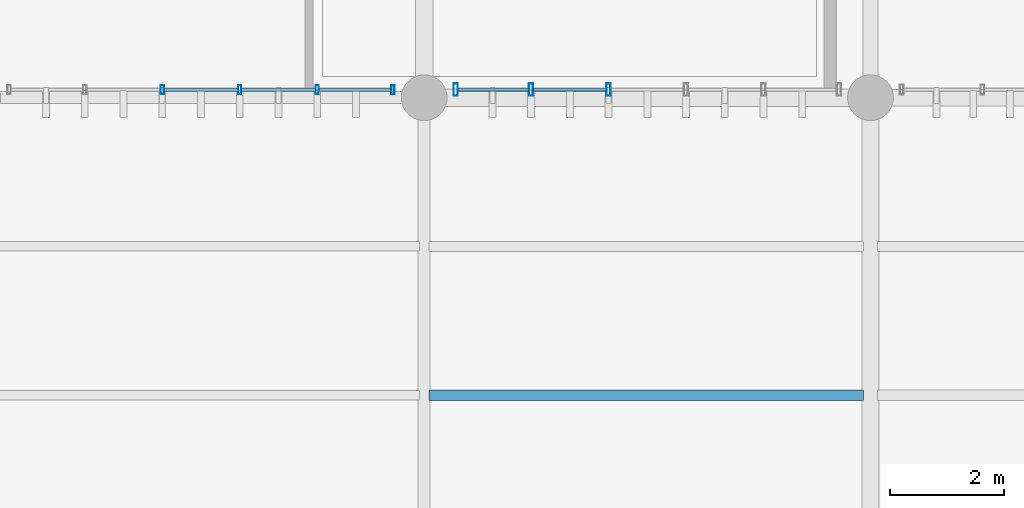
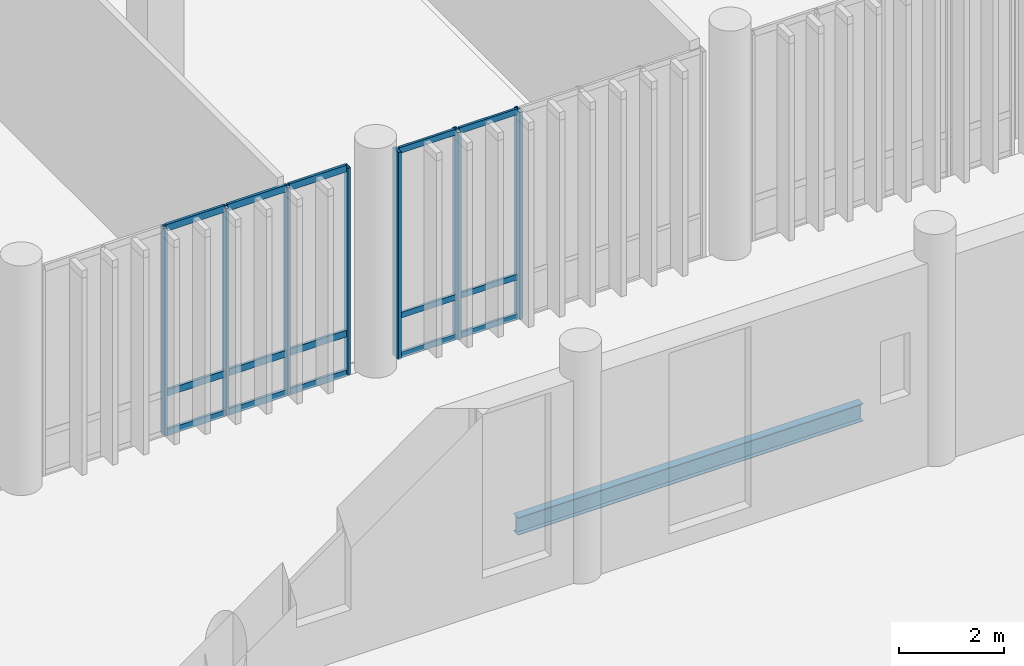
# One storey, part 74 of 128: 22 members, 1 beam, 2 elements without a shape of their own.
"""IFC4 building model written with IfcOpenShell, lengths in metres."""

from ifc_helpers import new_model, si_unit, direction, frame, origin_with_axes, origin_2d_with_axis, place, context, subcontext, project, spatial, hollow_rectangle, i_section, extrude, material, material_profile, profile_set, type_object, element, aggregate, save


model = new_model("IFC4")

# Units and contexts
model_context = context("Model", 3, precision=1e-05, world=origin_with_axes(), true_north=direction((0.0, 1.0)))
body_context = subcontext(model_context, "Body", "Model", "MODEL_VIEW")
ifc_project = project(units=[si_unit("LENGTHUNIT", "METRE"), si_unit("AREAUNIT", "SQUARE_METRE"), si_unit("VOLUMEUNIT", "CUBIC_METRE"), si_unit("PLANEANGLEUNIT", "RADIAN"), si_unit("MASSUNIT", "GRAM", prefix="KILO"), si_unit("THERMODYNAMICTEMPERATUREUNIT", "KELVIN")], contexts=[model_context])

# Site, building, storey
site_placement = place(None, origin_with_axes())
site = spatial("IfcSite", under=ifc_project, at=site_placement, CompositionType="ELEMENT")
building_placement = place(site_placement, origin_with_axes())
building = spatial("IfcBuilding", under=site, at=building_placement, Name="Montbau Bow Law Courts", CompositionType="ELEMENT")
storey_placement = place(building_placement, frame((0.0, 0.0, 5.4), z_axis=(0.0, 0.0, 1.0), x_axis=(1.0, 0.0, 0.0)))
storey = spatial("IfcBuildingStorey", under=building, at=storey_placement, Name="L01", CompositionType="ELEMENT", Elevation=5.4)

# Beam
ifc_material_1 = material(Name="Steel CSA G40.21 Grade 350W (350 MPa)", Category="steel")
ifc_material_profile_1 = material_profile(ifc_material_1, i_section(OverallWidth=0.179, OverallDepth=0.41, WebThickness=0.0088, FlangeThickness=0.0144, at=origin_2d_with_axis()), Name="W410X67", Category="Main", Priority=0)
ifc_profile_set_1 = profile_set([ifc_material_profile_1], Name="Steel CSA G40.21 Grade 350W (350 MPa)")
beam_type = type_object("IfcBeamType", Name="B-JST-02", PredefinedType="JOIST", material=ifc_profile_set_1)
beam_placement = place(None, frame((154.881, 64.4, 4.905), z_axis=(1.0, 0.0, 0.0), x_axis=(0.0, 1.0, 0.0)))
element("IfcBeam", 1, at=beam_placement, inside=storey, type_object=beam_type, Name="JST-L01-S0585:jst2_0585", PredefinedType="JOIST", context=body_context, shape_type="SweptSolid", body=[
    extrude(i_section(OverallWidth=0.179, OverallDepth=0.41, WebThickness=0.0088, FlangeThickness=0.0144, at=origin_2d_with_axis()), origin_with_axes(), (0.0, 0.0, 1.0), 7.596),
])

# Curtain wall, members
ifc_material_2 = material(Name="Thermally Broken Extruded Aluminium AA 6063-T6", Category="aluminium")
curtain_wall_type = type_object("IfcCurtainWallType", Name="CW-SLT-01", PredefinedType="NOTDEFINED", material=ifc_material_2)
curtain_wall_1_placement = place(None, frame((155.315, 69.74, 5.4), z_axis=(0.0, 0.0, 1.0), x_axis=(1.0, 0.0, 0.0)))
curtain_wall_1 = element("IfcCurtainWall", 2, at=curtain_wall_1_placement, inside=storey, type_object=curtain_wall_type, Name="CW-L01-279:cw_0279", PredefinedType="NOTDEFINED")
ifc_material_profile_2 = material_profile(ifc_material_2, hollow_rectangle(XDim=0.075, YDim=0.22, WallThickness=0.005, InnerFilletRadius=0.01, OuterFilletRadius=0.005, at=origin_2d_with_axis()), Name="CWM-220X75", Category="Main", Priority=0)
ifc_profile_set_2 = profile_set([ifc_material_profile_2], Name="Thermally Broken Extruded Aluminium AA 6063-T6")
member_type_1 = type_object("IfcMemberType", Name="M-MUL-01", PredefinedType="MULLION", material=ifc_profile_set_2)
member_1_placement = place(None, frame((155.352, 69.74, 5.4), z_axis=(0.0, 0.0, 1.0), x_axis=(1.0, 0.0, 0.0)))
member_1 = element("IfcMember", 3, at=member_1_placement, type_object=member_type_1, Name="CW-L01-279-M01:cw_0279_M01", PredefinedType="MULLION", context=body_context, shape_type="SweptSolid", body=[
    extrude(hollow_rectangle(XDim=0.075, YDim=0.22, WallThickness=0.005, InnerFilletRadius=0.01, OuterFilletRadius=0.005, at=origin_2d_with_axis()), origin_with_axes(), (0.0, 0.0, 1.0), 4.82),
])
member_2_placement = place(None, frame((156.669, 69.74, 5.4), z_axis=(0.0, 0.0, 1.0), x_axis=(1.0, 0.0, 0.0)))
member_2 = element("IfcMember", 4, at=member_2_placement, type_object=member_type_1, Name="CW-L01-279-M02:cw_0279_M02", PredefinedType="MULLION", context=body_context, shape_type="SweptSolid", body=[
    extrude(hollow_rectangle(XDim=0.075, YDim=0.22, WallThickness=0.005, InnerFilletRadius=0.01, OuterFilletRadius=0.005, at=origin_2d_with_axis()), origin_with_axes(), (0.0, 0.0, 1.0), 4.82),
])
member_3_placement = place(None, frame((158.023, 69.74, 5.4), z_axis=(0.0, 0.0, 1.0), x_axis=(1.0, 0.0, 0.0)))
member_3 = element("IfcMember", 5, at=member_3_placement, type_object=member_type_1, Name="CW-L01-279-M03:cw_0279_M03", PredefinedType="MULLION", context=body_context, shape_type="SweptSolid", body=[
    extrude(hollow_rectangle(XDim=0.075, YDim=0.22, WallThickness=0.005, InnerFilletRadius=0.01, OuterFilletRadius=0.005, at=origin_2d_with_axis()), origin_with_axes(), (0.0, 0.0, 1.0), 4.82),
])

curtain_wall_2_placement = place(None, frame((147.515, 69.74, 5.4), z_axis=(0.0, 0.0, 1.0), x_axis=(1.0, 0.0, 0.0)))
curtain_wall_2 = element("IfcCurtainWall", 6, at=curtain_wall_2_placement, inside=storey, type_object=curtain_wall_type, Name="CW-L01-278:cw_0278", PredefinedType="NOTDEFINED")
ifc_material_profile_3 = material_profile(ifc_material_2, hollow_rectangle(XDim=0.06, YDim=0.16, WallThickness=0.004, InnerFilletRadius=0.008, OuterFilletRadius=0.004, at=origin_2d_with_axis()), Name="CWM-160X60", Category="Main", Priority=0)
ifc_profile_set_3 = profile_set([ifc_material_profile_3], Name="Thermally Broken Extruded Aluminium AA 6063-T6")
member_type_2 = type_object("IfcMemberType", Name="M-MUL-03", PredefinedType="MULLION", material=ifc_profile_set_3)
member_4_placement = place(None, frame((150.223, 69.74, 5.4), z_axis=(0.0, 0.0, 1.0), x_axis=(1.0, 0.0, 0.0)))
member_4 = element("IfcMember", 7, at=member_4_placement, type_object=member_type_2, Name="CW-L01-278-M03:cw_0278_M03", PredefinedType="MULLION", context=body_context, shape_type="SweptSolid", body=[
    extrude(hollow_rectangle(XDim=0.06, YDim=0.16, WallThickness=0.004, InnerFilletRadius=0.008, OuterFilletRadius=0.004, at=origin_2d_with_axis()), origin_with_axes(), (0.0, 0.0, 1.0), 4.82),
])
member_5_placement = place(None, frame((151.577, 69.74, 5.4), z_axis=(0.0, 0.0, 1.0), x_axis=(1.0, 0.0, 0.0)))
member_5 = element("IfcMember", 8, at=member_5_placement, type_object=member_type_2, Name="CW-L01-278-M04:cw_0278_M04", PredefinedType="MULLION", context=body_context, shape_type="SweptSolid", body=[
    extrude(hollow_rectangle(XDim=0.06, YDim=0.16, WallThickness=0.004, InnerFilletRadius=0.008, OuterFilletRadius=0.004, at=origin_2d_with_axis()), origin_with_axes(), (0.0, 0.0, 1.0), 4.82),
])
member_6_placement = place(None, frame((152.931, 69.74, 5.4), z_axis=(0.0, 0.0, 1.0), x_axis=(1.0, 0.0, 0.0)))
member_6 = element("IfcMember", 9, at=member_6_placement, type_object=member_type_2, Name="CW-L01-278-M05:cw_0278_M05", PredefinedType="MULLION", context=body_context, shape_type="SweptSolid", body=[
    extrude(hollow_rectangle(XDim=0.06, YDim=0.16, WallThickness=0.004, InnerFilletRadius=0.008, OuterFilletRadius=0.004, at=origin_2d_with_axis()), origin_with_axes(), (0.0, 0.0, 1.0), 4.82),
])
member_7_placement = place(None, frame((154.255, 69.74, 5.4), z_axis=(0.0, 0.0, 1.0), x_axis=(1.0, 0.0, 0.0)))
member_7 = element("IfcMember", 10, at=member_7_placement, type_object=member_type_2, Name="CW-L01-278-M06:cw_0278_M06", PredefinedType="MULLION", context=body_context, shape_type="SweptSolid", body=[
    extrude(hollow_rectangle(XDim=0.06, YDim=0.16, WallThickness=0.004, InnerFilletRadius=0.008, OuterFilletRadius=0.004, at=origin_2d_with_axis()), origin_with_axes(), (0.0, 0.0, 1.0), 4.82),
])
ifc_material_profile_4 = material_profile(ifc_material_2, hollow_rectangle(XDim=0.06, YDim=0.16, WallThickness=0.004, InnerFilletRadius=0.008, OuterFilletRadius=0.004, at=origin_2d_with_axis()), Name="CWT-160X60", Category="Main", Priority=0)
ifc_profile_set_4 = profile_set([ifc_material_profile_4], Name="Thermally Broken Extruded Aluminium AA 6063-T6")
member_type_3 = type_object("IfcMemberType", Name="M-TRN-01", PredefinedType="USERDEFINED", material=ifc_profile_set_4)
member_8_placement = place(None, frame((150.255, 69.74, 5.43), z_axis=(1.0, 0.0, 0.0), x_axis=(0.0, 1.0, 0.0)))
member_8 = element("IfcMember", 11, at=member_8_placement, type_object=member_type_3, Name="CW-L01-278-T03-1:cw_0278_T03_1", ObjectType="TRANSOM", PredefinedType="USERDEFINED", context=body_context, shape_type="SweptSolid", body=[
    extrude(hollow_rectangle(XDim=0.06, YDim=0.16, WallThickness=0.004, InnerFilletRadius=0.008, OuterFilletRadius=0.004, at=origin_2d_with_axis()), origin_with_axes(), (0.0, 0.0, 1.0), 1.29),
])
member_9_placement = place(None, frame((150.255, 69.74, 6.35), z_axis=(1.0, 0.0, 0.0), x_axis=(0.0, 1.0, 0.0)))
member_9 = element("IfcMember", 12, at=member_9_placement, type_object=member_type_3, Name="CW-L01-278-T03-2:cw_0278_T03_2", ObjectType="TRANSOM", PredefinedType="USERDEFINED", context=body_context, shape_type="SweptSolid", body=[
    extrude(hollow_rectangle(XDim=0.06, YDim=0.16, WallThickness=0.004, InnerFilletRadius=0.008, OuterFilletRadius=0.004, at=origin_2d_with_axis()), origin_with_axes(), (0.0, 0.0, 1.0), 1.29),
])
member_10_placement = place(None, frame((150.255, 69.74, 10.19), z_axis=(1.0, 0.0, 0.0), x_axis=(0.0, 1.0, 0.0)))
member_10 = element("IfcMember", 13, at=member_10_placement, type_object=member_type_3, Name="CW-L01-278-T03-3:cw_0278_T03_3", ObjectType="TRANSOM", PredefinedType="USERDEFINED", context=body_context, shape_type="SweptSolid", body=[
    extrude(hollow_rectangle(XDim=0.06, YDim=0.16, WallThickness=0.004, InnerFilletRadius=0.008, OuterFilletRadius=0.004, at=origin_2d_with_axis()), origin_with_axes(), (0.0, 0.0, 1.0), 1.29),
])
member_11_placement = place(None, frame((151.609, 69.74, 5.43), z_axis=(1.0, 0.0, 0.0), x_axis=(0.0, 1.0, 0.0)))
member_11 = element("IfcMember", 14, at=member_11_placement, type_object=member_type_3, Name="CW-L01-278-T04-1:cw_0278_T04_1", ObjectType="TRANSOM", PredefinedType="USERDEFINED", context=body_context, shape_type="SweptSolid", body=[
    extrude(hollow_rectangle(XDim=0.06, YDim=0.16, WallThickness=0.004, InnerFilletRadius=0.008, OuterFilletRadius=0.004, at=origin_2d_with_axis()), origin_with_axes(), (0.0, 0.0, 1.0), 1.29),
])
member_12_placement = place(None, frame((151.609, 69.74, 6.35), z_axis=(1.0, 0.0, 0.0), x_axis=(0.0, 1.0, 0.0)))
member_12 = element("IfcMember", 15, at=member_12_placement, type_object=member_type_3, Name="CW-L01-278-T04-2:cw_0278_T04_2", ObjectType="TRANSOM", PredefinedType="USERDEFINED", context=body_context, shape_type="SweptSolid", body=[
    extrude(hollow_rectangle(XDim=0.06, YDim=0.16, WallThickness=0.004, InnerFilletRadius=0.008, OuterFilletRadius=0.004, at=origin_2d_with_axis()), origin_with_axes(), (0.0, 0.0, 1.0), 1.29),
])
member_13_placement = place(None, frame((151.609, 69.74, 10.19), z_axis=(1.0, 0.0, 0.0), x_axis=(0.0, 1.0, 0.0)))
member_13 = element("IfcMember", 16, at=member_13_placement, type_object=member_type_3, Name="CW-L01-278-T04-3:cw_0278_T04_3", ObjectType="TRANSOM", PredefinedType="USERDEFINED", context=body_context, shape_type="SweptSolid", body=[
    extrude(hollow_rectangle(XDim=0.06, YDim=0.16, WallThickness=0.004, InnerFilletRadius=0.008, OuterFilletRadius=0.004, at=origin_2d_with_axis()), origin_with_axes(), (0.0, 0.0, 1.0), 1.29),
])
member_14_placement = place(None, frame((152.963, 69.74, 5.43), z_axis=(1.0, 0.0, 0.0), x_axis=(0.0, 1.0, 0.0)))
member_14 = element("IfcMember", 17, at=member_14_placement, type_object=member_type_3, Name="CW-L01-278-T05-1:cw_0278_T05_1", ObjectType="TRANSOM", PredefinedType="USERDEFINED", context=body_context, shape_type="SweptSolid", body=[
    extrude(hollow_rectangle(XDim=0.06, YDim=0.16, WallThickness=0.004, InnerFilletRadius=0.008, OuterFilletRadius=0.004, at=origin_2d_with_axis()), origin_with_axes(), (0.0, 0.0, 1.0), 1.26),
])
member_15_placement = place(None, frame((152.963, 69.74, 6.35), z_axis=(1.0, 0.0, 0.0), x_axis=(0.0, 1.0, 0.0)))
member_15 = element("IfcMember", 18, at=member_15_placement, type_object=member_type_3, Name="CW-L01-278-T05-2:cw_0278_T05_2", ObjectType="TRANSOM", PredefinedType="USERDEFINED", context=body_context, shape_type="SweptSolid", body=[
    extrude(hollow_rectangle(XDim=0.06, YDim=0.16, WallThickness=0.004, InnerFilletRadius=0.008, OuterFilletRadius=0.004, at=origin_2d_with_axis()), origin_with_axes(), (0.0, 0.0, 1.0), 1.26),
])
member_16_placement = place(None, frame((152.963, 69.74, 10.19), z_axis=(1.0, 0.0, 0.0), x_axis=(0.0, 1.0, 0.0)))
member_16 = element("IfcMember", 19, at=member_16_placement, type_object=member_type_3, Name="CW-L01-278-T05-3:cw_0278_T05_3", ObjectType="TRANSOM", PredefinedType="USERDEFINED", context=body_context, shape_type="SweptSolid", body=[
    extrude(hollow_rectangle(XDim=0.06, YDim=0.16, WallThickness=0.004, InnerFilletRadius=0.008, OuterFilletRadius=0.004, at=origin_2d_with_axis()), origin_with_axes(), (0.0, 0.0, 1.0), 1.26),
])
aggregate(curtain_wall_2, [member_4, member_5, member_6, member_7, member_8, member_9, member_10, member_11, member_12, member_13, member_14, member_15, member_16])

# Member
ifc_material_profile_5 = material_profile(ifc_material_2, hollow_rectangle(XDim=0.055, YDim=0.14, WallThickness=0.004, InnerFilletRadius=0.008, OuterFilletRadius=0.004, at=origin_2d_with_axis()), Name="CWT-140X55", Category="Main", Priority=0)
ifc_profile_set_5 = profile_set([ifc_material_profile_5], Name="Thermally Broken Extruded Aluminium AA 6063-T6")
member_type_4 = type_object("IfcMemberType", Name="M-TRN-02", PredefinedType="USERDEFINED", material=ifc_profile_set_5)
member_17_placement = place(None, frame((155.391, 69.74, 5.428), z_axis=(1.0, 0.0, 0.0), x_axis=(0.0, 1.0, 0.0)))
member_17 = element("IfcMember", 20, at=member_17_placement, type_object=member_type_4, Name="CW-L01-279-T01-1:cw_0279_T01_1", ObjectType="TRANSOM", PredefinedType="USERDEFINED", context=body_context, shape_type="SweptSolid", body=[
    extrude(hollow_rectangle(XDim=0.055, YDim=0.14, WallThickness=0.004, InnerFilletRadius=0.008, OuterFilletRadius=0.004, at=origin_2d_with_axis()), origin_with_axes(), (0.0, 0.0, 1.0), 1.239),
])

member_18_placement = place(None, frame((155.391, 69.74, 6.35), z_axis=(1.0, 0.0, 0.0), x_axis=(0.0, 1.0, 0.0)))
member_18 = element("IfcMember", 21, at=member_18_placement, type_object=member_type_4, Name="CW-L01-279-T01-2:cw_0279_T01_2", ObjectType="TRANSOM", PredefinedType="USERDEFINED", context=body_context, shape_type="SweptSolid", body=[
    extrude(hollow_rectangle(XDim=0.055, YDim=0.14, WallThickness=0.004, InnerFilletRadius=0.008, OuterFilletRadius=0.004, at=origin_2d_with_axis()), origin_with_axes(), (0.0, 0.0, 1.0), 1.239),
])

member_19_placement = place(None, frame((155.391, 69.74, 10.193), z_axis=(1.0, 0.0, 0.0), x_axis=(0.0, 1.0, 0.0)))
member_19 = element("IfcMember", 22, at=member_19_placement, type_object=member_type_4, Name="CW-L01-279-T01-3:cw_0279_T01_3", ObjectType="TRANSOM", PredefinedType="USERDEFINED", context=body_context, shape_type="SweptSolid", body=[
    extrude(hollow_rectangle(XDim=0.055, YDim=0.14, WallThickness=0.004, InnerFilletRadius=0.008, OuterFilletRadius=0.004, at=origin_2d_with_axis()), origin_with_axes(), (0.0, 0.0, 1.0), 1.239),
])

member_20_placement = place(None, frame((156.709, 69.74, 5.428), z_axis=(1.0, 0.0, 0.0), x_axis=(0.0, 1.0, 0.0)))
member_20 = element("IfcMember", 23, at=member_20_placement, type_object=member_type_4, Name="CW-L01-279-T02-1:cw_0279_T02_1", ObjectType="TRANSOM", PredefinedType="USERDEFINED", context=body_context, shape_type="SweptSolid", body=[
    extrude(hollow_rectangle(XDim=0.055, YDim=0.14, WallThickness=0.004, InnerFilletRadius=0.008, OuterFilletRadius=0.004, at=origin_2d_with_axis()), origin_with_axes(), (0.0, 0.0, 1.0), 1.275),
])

member_21_placement = place(None, frame((156.709, 69.74, 6.35), z_axis=(1.0, 0.0, 0.0), x_axis=(0.0, 1.0, 0.0)))
member_21 = element("IfcMember", 24, at=member_21_placement, type_object=member_type_4, Name="CW-L01-279-T02-2:cw_0279_T02_2", ObjectType="TRANSOM", PredefinedType="USERDEFINED", context=body_context, shape_type="SweptSolid", body=[
    extrude(hollow_rectangle(XDim=0.055, YDim=0.14, WallThickness=0.004, InnerFilletRadius=0.008, OuterFilletRadius=0.004, at=origin_2d_with_axis()), origin_with_axes(), (0.0, 0.0, 1.0), 1.275),
])

member_22_placement = place(None, frame((156.709, 69.74, 10.193), z_axis=(1.0, 0.0, 0.0), x_axis=(0.0, 1.0, 0.0)))
member_22 = element("IfcMember", 25, at=member_22_placement, type_object=member_type_4, Name="CW-L01-279-T02-3:cw_0279_T02_3", ObjectType="TRANSOM", PredefinedType="USERDEFINED", context=body_context, shape_type="SweptSolid", body=[
    extrude(hollow_rectangle(XDim=0.055, YDim=0.14, WallThickness=0.004, InnerFilletRadius=0.008, OuterFilletRadius=0.004, at=origin_2d_with_axis()), origin_with_axes(), (0.0, 0.0, 1.0), 1.275),
])

aggregate(curtain_wall_1, [member_1, member_2, member_3, member_17, member_18, member_19, member_20, member_21, member_22])

save(model, "model.ifc")
